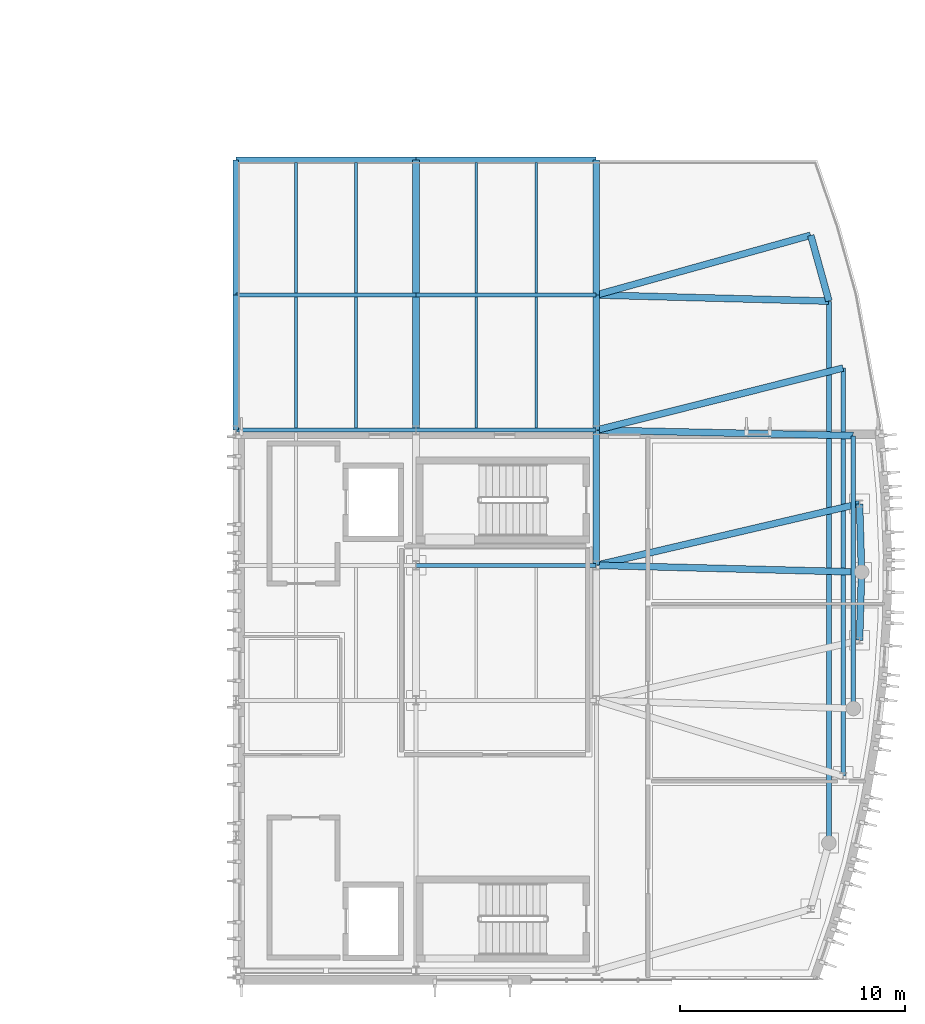
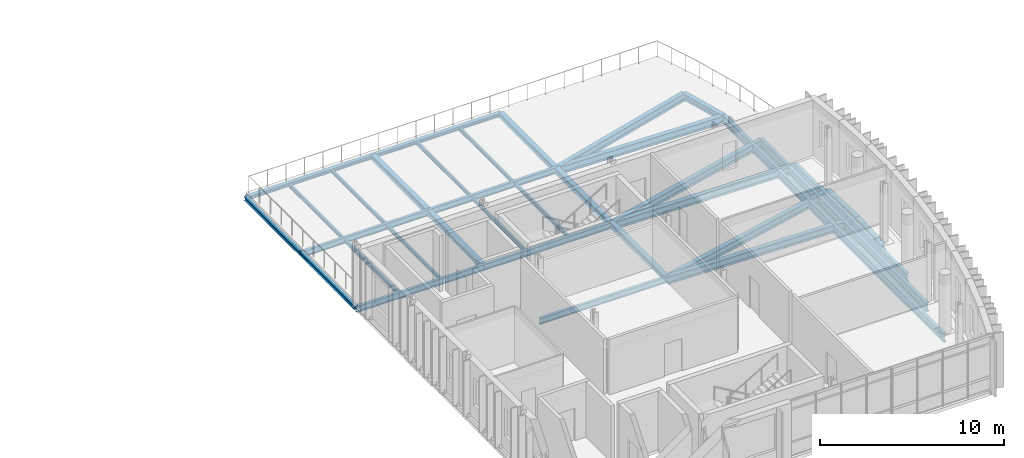
# One storey, part 18 of 40: 34 beams.
"""IFC4 building model written with IfcOpenShell, lengths in metres."""

from ifc_helpers import new_model, si_unit, direction, frame, origin, origin_2d, place, context, subcontext, project, spatial, i_section, extrude, material, material_profile, profile_set, type_object, element, save


model = new_model("IFC4")

# Units and contexts
model_context = context("Model", 3, precision=1e-05, world=origin(), true_north=direction((0.0, 1.0)))
body_context = subcontext(model_context, "Body", "Model", "MODEL_VIEW")
ifc_project = project(units=[si_unit("LENGTHUNIT", "METRE"), si_unit("AREAUNIT", "SQUARE_METRE"), si_unit("VOLUMEUNIT", "CUBIC_METRE"), si_unit("PLANEANGLEUNIT", "RADIAN"), si_unit("MASSUNIT", "GRAM", prefix="KILO")], contexts=[model_context])

# Site, building, storey
site_placement = place(None, origin())
site = spatial("IfcSite", under=ifc_project, at=site_placement, CompositionType="ELEMENT")
building_placement = place(site_placement, origin())
building = spatial("IfcBuilding", under=site, at=building_placement, Name="Cymarion Research Institute", CompositionType="ELEMENT")
storey_placement = place(building_placement, frame((0.0, 0.0, 26.699951171875)))
storey = spatial("IfcBuildingStorey", under=building, at=storey_placement, Name="L06", CompositionType="ELEMENT", Elevation=26.699951171875)

# Beams
ifc_material = material(Name="Steel S355", Category="steel")
ifc_material_profile_1 = material_profile(ifc_material, i_section(OverallWidth=0.2099609375, OverallDepth=0.550048828125, WebThickness=0.010986328125, FlangeThickness=0.01708984375, FilletRadius=0.02392578125, at=origin_2d()), Name="IPE 550")
ifc_profile_set_1 = profile_set([ifc_material_profile_1], Name="Steel S355")
beam_type_1 = type_object("IfcBeamType", Name="PRIMARY GIRDER BM02 IPE 550", PredefinedType="BEAM", material=ifc_profile_set_1)
beam_1_placement = place(storey_placement, frame((164.929931640625, 11.1787109375, -0.494873046875), z_axis=(0.0, 1.0, 0.0), x_axis=(-1.0, 0.0, 0.0)))
element("IfcBeam", 1, at=beam_1_placement, inside=storey, type_object=beam_type_1, Name="L06 V1 girder BM02 #2068", PredefinedType="BEAM", context=body_context, shape_type="SweptSolid", body=[
    extrude(i_section(OverallWidth=0.2099609375, OverallDepth=0.550048828125, WebThickness=0.010986328125, FlangeThickness=0.01708984375, FilletRadius=0.02392578125, at=origin_2d()), origin(), (0.0, 0.0, 1.0), 24.04248046875),
])
beam_2_placement = place(storey_placement, frame((165.56005859375, 14.1474609375, -0.494873046875), z_axis=(0.0, 1.0, 0.0), x_axis=(-1.0, 0.0, 0.0)))
element("IfcBeam", 2, at=beam_2_placement, inside=storey, type_object=beam_type_1, Name="L06 V1 girder BM02 #2069", PredefinedType="BEAM", context=body_context, shape_type="SweptSolid", body=[
    extrude(i_section(OverallWidth=0.2099609375, OverallDepth=0.550048828125, WebThickness=0.010986328125, FlangeThickness=0.01708984375, FilletRadius=0.02392578125, at=origin_2d()), origin(), (0.0, 0.0, 1.0), 18.10498046875),
])
beam_3_placement = place(storey_placement, frame((166.010009765625, 17.148681640625, -0.494873046875), z_axis=(0.0, 1.0, 0.0), x_axis=(-1.0, 0.0, 0.0)))
element("IfcBeam", 3, at=beam_3_placement, inside=storey, type_object=beam_type_1, Name="L06 V1 girder BM02 #2070", PredefinedType="BEAM", context=body_context, shape_type="SweptSolid", body=[
    extrude(i_section(OverallWidth=0.2099609375, OverallDepth=0.550048828125, WebThickness=0.010986328125, FlangeThickness=0.01708984375, FilletRadius=0.02392578125, at=origin_2d()), origin(), (0.0, 0.0, 1.0), 12.1025390625),
])
ifc_material_profile_2 = material_profile(ifc_material, i_section(OverallWidth=0.179931640625, OverallDepth=0.39990234375, WebThickness=0.008544921875, FlangeThickness=0.013427734375, FilletRadius=0.02099609375, at=origin_2d()), Name="IPE 400")
ifc_profile_set_2 = profile_set([ifc_material_profile_2], Name="Steel S355")
beam_type_2 = type_object("IfcBeamType", Name="PRIMARY GIRDER BM05 IPE 400", PredefinedType="BEAM", material=ifc_profile_set_2)
for number, where, z_axis, x_axis, name in (
    (4, (146.60595703125, 23.5, -0.419921875), (1.0, 0.0, 0.0), (0.0, 1.0, 0.0), "L06 V1 girder BM05 #2045"),
    (5, (138.60595703125, 29.5, -0.4599609375), (1.0, 0.0, 0.0), (0.0, 1.0, 0.0), "L06 V1 girder BM05 #2046"),
    (6, (146.60595703125, 29.5, -0.4599609375), (1.0, 0.0, 0.0), (0.0, 1.0, 0.0), "L06 V1 girder BM05 #2047"),
    (7, (138.60595703125, 35.5, -0.4599609375), (1.0, 0.0, 0.0), (0.0, 1.0, 0.0), "L06 V1 girder BM05 #2048"),
    (8, (146.60595703125, 35.5, -0.4599609375), (1.0, 0.0, 0.0), (0.0, 1.0, 0.0), "L06 V1 girder BM05 #2049"),
):
    element("IfcBeam", number, at=place(storey_placement, frame(where, z_axis=z_axis, x_axis=x_axis)), inside=storey, type_object=beam_type_2, Name=name, PredefinedType="BEAM", context=body_context, shape_type="SweptSolid", body=[
        extrude(i_section(OverallWidth=0.179931640625, OverallDepth=0.39990234375, WebThickness=0.008544921875, FlangeThickness=0.013427734375, FilletRadius=0.02099609375, at=origin_2d()), origin(), (0.0, 0.0, 1.0), 7.988037109375),
    ])
ifc_material_profile_3 = material_profile(ifc_material, i_section(OverallWidth=0.300048828125, OverallDepth=0.5, WebThickness=0.014404296875, FlangeThickness=0.028076171875, FilletRadius=0.027099609375, at=origin_2d()), Name="HEB 500")
ifc_profile_set_3 = profile_set([ifc_material_profile_3], Name="Steel S355")
beam_type_3 = type_object("IfcBeamType", Name="PRIMARY GIRDER BM09 HEB 500", PredefinedType="BEAM", material=ifc_profile_set_3)
beam_4_placement = place(storey_placement, frame((154.60791015625, 23.499755859375, -0.469970703125), z_axis=(0.999675752574, -0.025463497715, 0.0), x_axis=(0.025463497715, 0.999675752574, 0.0)))
element("IfcBeam", 9, at=beam_4_placement, inside=storey, type_object=beam_type_3, Name="L06 V1 radial prow girder BM09 #2079", PredefinedType="BEAM", context=body_context, shape_type="SweptSolid", body=[
    extrude(i_section(OverallWidth=0.300048828125, OverallDepth=0.5, WebThickness=0.014404296875, FlangeThickness=0.028076171875, FilletRadius=0.027099609375, at=origin_2d()), origin(), (0.0, 0.0, 1.0), 11.764404296875),
])
beam_5_placement = place(storey_placement, frame((154.60791015625, 23.501708984375, -0.469970703125), z_axis=(0.973701737176, 0.22782652835, 0.0), x_axis=(-0.22782652835, 0.973701737176, 0.0)))
element("IfcBeam", 10, at=beam_5_placement, inside=storey, type_object=beam_type_3, Name="L06 V1 radial prow girder BM09 #2080", PredefinedType="BEAM", context=body_context, shape_type="SweptSolid", body=[
    extrude(i_section(OverallWidth=0.300048828125, OverallDepth=0.5, WebThickness=0.014404296875, FlangeThickness=0.028076171875, FilletRadius=0.027099609375, at=origin_2d()), origin(), (0.0, 0.0, 1.0), 11.98486328125),
])
beam_6_placement = place(storey_placement, frame((154.60791015625, 29.499755859375, -0.510009765625), z_axis=(0.999773836643, -0.021266771342, 0.0), x_axis=(0.021266771342, 0.999773836643, 0.0)))
element("IfcBeam", 11, at=beam_6_placement, inside=storey, type_object=beam_type_3, Name="L06 V1 radial prow girder BM09 #2081", PredefinedType="BEAM", context=body_context, shape_type="SweptSolid", body=[
    extrude(i_section(OverallWidth=0.300048828125, OverallDepth=0.5, WebThickness=0.014404296875, FlangeThickness=0.028076171875, FilletRadius=0.027099609375, at=origin_2d()), origin(), (0.0, 0.0, 1.0), 11.399658203125),
])
beam_7_placement = place(storey_placement, frame((154.60791015625, 29.501953125, -0.510009765625), z_axis=(0.969753132193, 0.244087817399, 0.0), x_axis=(-0.244087817399, 0.969753132193, 0.0)))
element("IfcBeam", 12, at=beam_7_placement, inside=storey, type_object=beam_type_3, Name="L06 V1 radial prow girder BM09 #2082", PredefinedType="BEAM", context=body_context, shape_type="SweptSolid", body=[
    extrude(i_section(OverallWidth=0.300048828125, OverallDepth=0.5, WebThickness=0.014404296875, FlangeThickness=0.028076171875, FilletRadius=0.027099609375, at=origin_2d()), origin(), (0.0, 0.0, 1.0), 11.285400390625),
])
beam_8_placement = place(storey_placement, frame((154.60791015625, 35.499755859375, -0.510009765625), z_axis=(0.999651753998, -0.026388837201, 0.0), x_axis=(0.026388837201, 0.999651753998, 0.0)))
element("IfcBeam", 13, at=beam_8_placement, inside=storey, type_object=beam_type_3, Name="L06 V1 radial prow girder BM09 #2083", PredefinedType="BEAM", context=body_context, shape_type="SweptSolid", body=[
    extrude(i_section(OverallWidth=0.300048828125, OverallDepth=0.5, WebThickness=0.014404296875, FlangeThickness=0.028076171875, FilletRadius=0.027099609375, at=origin_2d()), origin(), (0.0, 0.0, 1.0), 10.315673828125),
])
beam_9_placement = place(storey_placement, frame((154.607666015625, 35.502197265625, -0.510009765625), z_axis=(0.963288176514, 0.26846953084, 0.0), x_axis=(-0.26846953084, 0.963288176514, 0.0)))
element("IfcBeam", 14, at=beam_9_placement, inside=storey, type_object=beam_type_3, Name="L06 V1 radial prow girder BM09 #2084", PredefinedType="BEAM", context=body_context, shape_type="SweptSolid", body=[
    extrude(i_section(OverallWidth=0.300048828125, OverallDepth=0.5, WebThickness=0.014404296875, FlangeThickness=0.028076171875, FilletRadius=0.027099609375, at=origin_2d()), origin(), (0.0, 0.0, 1.0), 9.865966796875),
])
ifc_material_profile_4 = material_profile(ifc_material, i_section(OverallWidth=0.300048828125, OverallDepth=0.39990234375, WebThickness=0.013427734375, FlangeThickness=0.02392578125, FilletRadius=0.027099609375, at=origin_2d()), Name="HEB 400")
ifc_profile_set_4 = profile_set([ifc_material_profile_4], Name="Steel S355")
beam_type_4 = type_object("IfcBeamType", Name="PRIMARY GIRDER BM11 HEB 400", PredefinedType="BEAM", material=ifc_profile_set_4)
beam_10_placement = place(storey_placement, frame((166.28564453125, 20.174072265625, -0.419921875), z_axis=(0.030000243484, 0.999549891397, 0.0), x_axis=(-0.999549891397, 0.030000243484, 0.0)))
element("IfcBeam", 15, at=beam_10_placement, inside=storey, type_object=beam_type_4, Name="L06 V1 prow ring girder BM11 #2072", PredefinedType="BEAM", context=body_context, shape_type="SweptSolid", body=[
    extrude(i_section(OverallWidth=0.300048828125, OverallDepth=0.39990234375, WebThickness=0.013427734375, FlangeThickness=0.02392578125, FilletRadius=0.027099609375, at=origin_2d()), origin(), (0.0, 0.0, 1.0), 3.019287109375),
])
beam_11_placement = place(storey_placement, frame((166.376220703125, 23.2080078125, -0.419921875), z_axis=(-0.029997818857, 0.999549964166, 0.0), x_axis=(-0.999549964166, -0.029997818857, 0.0)))
element("IfcBeam", 16, at=beam_11_placement, inside=storey, type_object=beam_type_4, Name="L06 V1 prow ring girder BM11 #2073", PredefinedType="BEAM", context=body_context, shape_type="SweptSolid", body=[
    extrude(i_section(OverallWidth=0.300048828125, OverallDepth=0.39990234375, WebThickness=0.013427734375, FlangeThickness=0.02392578125, FilletRadius=0.027099609375, at=origin_2d()), origin(), (0.0, 0.0, 1.0), 3.01953125),
])
beam_12_placement = place(storey_placement, frame((164.92578125, 35.235107421875, -0.4599609375), z_axis=(-0.266509343606, 0.963832334885, 0.0), x_axis=(-0.963832334885, -0.266509343606, 0.0)))
element("IfcBeam", 17, at=beam_12_placement, inside=storey, type_object=beam_type_4, Name="L06 V1 prow ring girder BM11 #2074", PredefinedType="BEAM", context=body_context, shape_type="SweptSolid", body=[
    extrude(i_section(OverallWidth=0.300048828125, OverallDepth=0.39990234375, WebThickness=0.013427734375, FlangeThickness=0.02392578125, FilletRadius=0.027099609375, at=origin_2d()), origin(), (0.0, 0.0, 1.0), 3.019287109375),
])
ifc_material_profile_5 = material_profile(ifc_material, i_section(OverallWidth=0.300048828125, OverallDepth=0.35009765625, WebThickness=0.010009765625, FlangeThickness=0.017578125, FilletRadius=0.027099609375, at=origin_2d()), Name="HEA 360")
ifc_profile_set_5 = profile_set([ifc_material_profile_5], Name="Steel S355")
beam_type_5 = type_object("IfcBeamType", Name="PRIMARY GIRDER BM12 HEA 360", PredefinedType="BEAM", material=ifc_profile_set_5)
for number, where, z_axis, x_axis, name in (
    (18, (146.60009765625, 29.506103515625, -0.43505859375), (0.0, 1.0, 0.0), (-1.0, 0.0, 0.0), "L06 V1 girder BM12 #2061"),
    (19, (146.60009765625, 35.506103515625, -0.43505859375), (0.0, 1.0, 0.0), (-1.0, 0.0, 0.0), "L06 V1 girder BM12 #2062"),
    (20, (154.60009765625, 23.506103515625, -0.39501953125), (0.0, 1.0, 0.0), (-1.0, 0.0, 0.0), "L06 V1 girder BM12 #2065"),
    (21, (154.60009765625, 29.506103515625, -0.43505859375), (0.0, 1.0, 0.0), (-1.0, 0.0, 0.0), "L06 V1 girder BM12 #2066"),
    (22, (154.60009765625, 35.506103515625, -0.43505859375), (0.0, 1.0, 0.0), (-1.0, 0.0, 0.0), "L06 V1 girder BM12 #2067"),
):
    element("IfcBeam", number, at=place(storey_placement, frame(where, z_axis=z_axis, x_axis=x_axis)), inside=storey, type_object=beam_type_5, Name=name, PredefinedType="BEAM", context=body_context, shape_type="SweptSolid", body=[
        extrude(i_section(OverallWidth=0.300048828125, OverallDepth=0.35009765625, WebThickness=0.010009765625, FlangeThickness=0.017578125, FilletRadius=0.027099609375, at=origin_2d()), origin(), (0.0, 0.0, 1.0), 5.98779296875),
    ])
ifc_material_profile_6 = material_profile(ifc_material, i_section(OverallWidth=0.1201171875, OverallDepth=0.239990234375, WebThickness=0.006103515625, FlangeThickness=0.009765625, FilletRadius=0.014892578125, at=origin_2d()), Name="IPE 240")
ifc_profile_set_6 = profile_set([ifc_material_profile_6], Name="Steel S355")
beam_type_6 = type_object("IfcBeamType", Name="SECONDARY JOIST JS04 IPE 240", PredefinedType="JOIST", material=ifc_profile_set_6)
for number, where, z_axis, x_axis, name in (
    (23, (141.2666015625, 29.593994140625, -0.3798828125), (0.0, 1.0, 0.0), (-1.0, 0.0, 0.0), "L06 V1 secondary joist JS04 #2090"),
    (24, (143.933349609375, 29.593994140625, -0.3798828125), (0.0, 1.0, 0.0), (-1.0, 0.0, 0.0), "L06 V1 secondary joist JS04 #2091"),
    (25, (149.2666015625, 29.593994140625, -0.3798828125), (0.0, 1.0, 0.0), (-1.0, 0.0, 0.0), "L06 V1 secondary joist JS04 #2092"),
    (26, (151.933349609375, 29.593994140625, -0.3798828125), (0.0, 1.0, 0.0), (-1.0, 0.0, 0.0), "L06 V1 secondary joist JS04 #2093"),
):
    element("IfcBeam", number, at=place(storey_placement, frame(where, z_axis=z_axis, x_axis=x_axis)), inside=storey, type_object=beam_type_6, Name=name, PredefinedType="JOIST", context=body_context, shape_type="SweptSolid", body=[
        extrude(i_section(OverallWidth=0.1201171875, OverallDepth=0.239990234375, WebThickness=0.006103515625, FlangeThickness=0.009765625, FilletRadius=0.014892578125, at=origin_2d()), origin(), (0.0, 0.0, 1.0), 5.81201171875),
    ])
for number, where, z_axis, x_axis, name in (
    (27, (141.2666015625, 35.593994140625, -0.3798828125), (0.0, 1.0, 0.0), (-1.0, 0.0, 0.0), "L06 V1 secondary joist JS04 #2094"),
    (28, (143.933349609375, 35.593994140625, -0.3798828125), (0.0, 1.0, 0.0), (-1.0, 0.0, 0.0), "L06 V1 secondary joist JS04 #2095"),
    (29, (149.2666015625, 35.593994140625, -0.3798828125), (0.0, 1.0, 0.0), (-1.0, 0.0, 0.0), "L06 V1 secondary joist JS04 #2096"),
    (30, (151.933349609375, 35.593994140625, -0.3798828125), (0.0, 1.0, 0.0), (-1.0, 0.0, 0.0), "L06 V1 secondary joist JS04 #2097"),
):
    element("IfcBeam", number, at=place(storey_placement, frame(where, z_axis=z_axis, x_axis=x_axis)), inside=storey, type_object=beam_type_6, Name=name, PredefinedType="JOIST", context=body_context, shape_type="SweptSolid", body=[
        extrude(i_section(OverallWidth=0.1201171875, OverallDepth=0.239990234375, WebThickness=0.006103515625, FlangeThickness=0.009765625, FilletRadius=0.014892578125, at=origin_2d()), origin(), (0.0, 0.0, 1.0), 5.781982421875),
    ])
ifc_material_profile_7 = material_profile(ifc_material, i_section(OverallWidth=0.239990234375, OverallDepth=0.22998046875, WebThickness=0.007568359375, FlangeThickness=0.011962890625, FilletRadius=0.02099609375, at=origin_2d()), Name="HEA 240")
ifc_profile_set_7 = profile_set([ifc_material_profile_7], Name="Steel S355")
beam_type_7 = type_object("IfcBeamType", Name="SPANDREL BEAM SPB03 HEA 240", PredefinedType="SPANDREL", material=ifc_profile_set_7)
for number, where, z_axis, x_axis, name in (
    (31, (138.60595703125, 41.5, -0.375), (1.0, 0.0, 0.0), (0.0, 1.0, 0.0), "L06 V1 girder SPB03 #2050"),
    (32, (146.60595703125, 41.5, -0.375), (1.0, 0.0, 0.0), (0.0, 1.0, 0.0), "L06 V1 girder SPB03 #2051"),
):
    element("IfcBeam", number, at=place(storey_placement, frame(where, z_axis=z_axis, x_axis=x_axis)), inside=storey, type_object=beam_type_7, Name=name, PredefinedType="SPANDREL", context=body_context, shape_type="SweptSolid", body=[
        extrude(i_section(OverallWidth=0.239990234375, OverallDepth=0.22998046875, WebThickness=0.007568359375, FlangeThickness=0.011962890625, FilletRadius=0.02099609375, at=origin_2d()), origin(), (0.0, 0.0, 1.0), 7.988037109375),
    ])
for number, where, z_axis, x_axis, name in (
    (33, (138.60009765625, 29.506103515625, -0.375), (0.0, 1.0, 0.0), (-1.0, 0.0, 0.0), "L06 V1 girder SPB03 #2056"),
    (34, (138.60009765625, 35.506103515625, -0.375), (0.0, 1.0, 0.0), (-1.0, 0.0, 0.0), "L06 V1 girder SPB03 #2057"),
):
    element("IfcBeam", number, at=place(storey_placement, frame(where, z_axis=z_axis, x_axis=x_axis)), inside=storey, type_object=beam_type_7, Name=name, PredefinedType="SPANDREL", context=body_context, shape_type="SweptSolid", body=[
        extrude(i_section(OverallWidth=0.239990234375, OverallDepth=0.22998046875, WebThickness=0.007568359375, FlangeThickness=0.011962890625, FilletRadius=0.02099609375, at=origin_2d()), origin(), (0.0, 0.0, 1.0), 5.98779296875),
    ])

save(model, "model.ifc")
